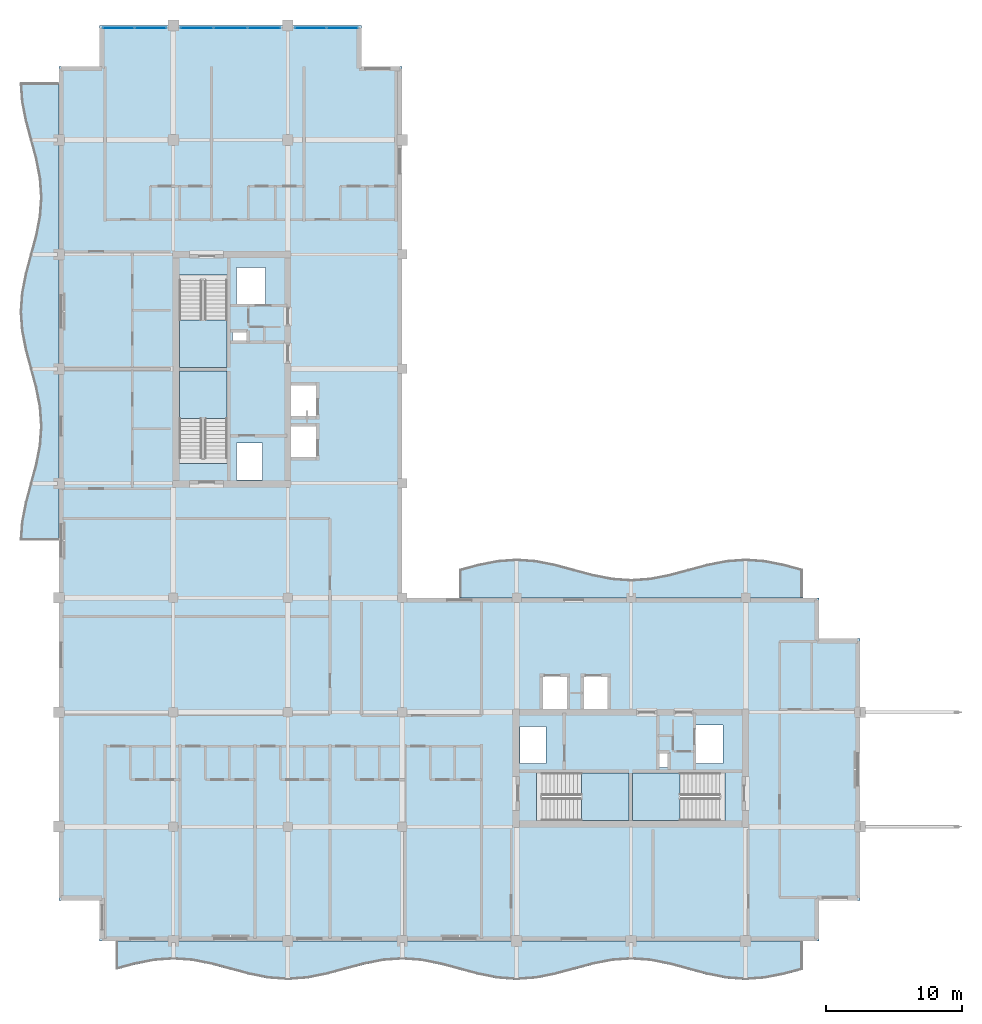
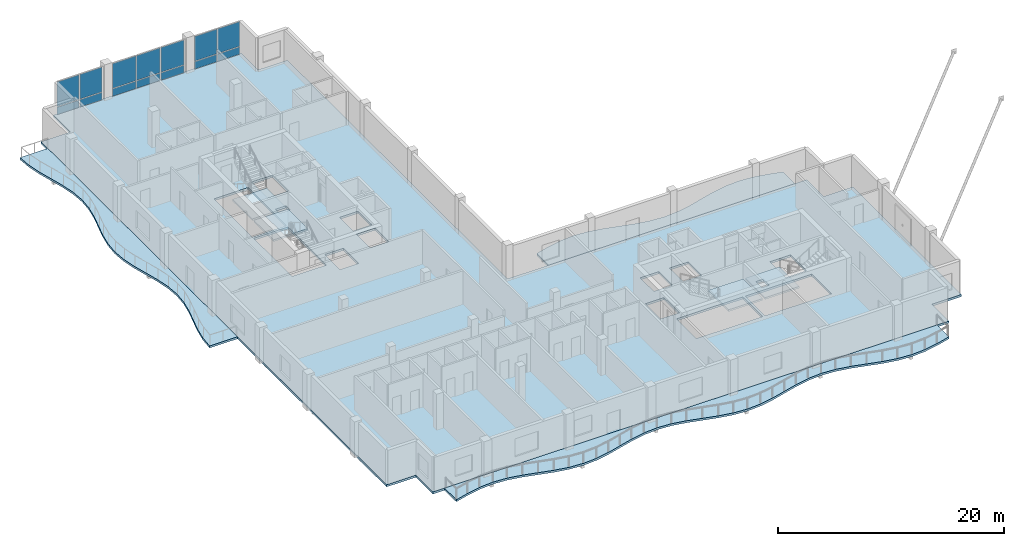
# One storey, part 5 of 17: 14 plates, 8 slabs, 7 elements without a shape of their own.
"""IFC4 building model written with IfcOpenShell, lengths in metres."""

from ifc_helpers import new_model, si_unit, direction, frame, origin, origin_2d, place, context, subcontext, project, spatial, polyline, rectangle, outline, extrude, material, layer, layer_set, type_object, element, aggregate, save


model = new_model("IFC4")

# Units and contexts
model_context = context("Model", 3, precision=1e-05, world=origin(), true_north=direction((0.0, 1.0)))
body_context = subcontext(model_context, "Body", "Model", "MODEL_VIEW")
ifc_project = project(units=[si_unit("LENGTHUNIT", "METRE"), si_unit("AREAUNIT", "SQUARE_METRE"), si_unit("VOLUMEUNIT", "CUBIC_METRE"), si_unit("PLANEANGLEUNIT", "RADIAN"), si_unit("MASSUNIT", "GRAM", prefix="KILO")], contexts=[model_context])

# Site, building, storey
site_placement = place(None, origin())
site = spatial("IfcSite", under=ifc_project, at=site_placement, CompositionType="ELEMENT")
building_placement = place(site_placement, origin())
building = spatial("IfcBuilding", under=site, at=building_placement, Name="Koriwani Terraces Tower", CompositionType="ELEMENT")
storey_placement = place(building_placement, frame((0.0, 0.0, 347.60009765625)))
storey = spatial("IfcBuildingStorey", under=building, at=storey_placement, Name="L86", CompositionType="ELEMENT", Elevation=347.60009765625)

# Curtain wall, plates
ifc_material_1 = material(Name="Anodised Bronze Aluminium", Category="aluminium")
ifc_layer_1 = layer(ifc_material_1, 0.18994140625, Name="Anodised Bronze Aluminium")
ifc_layer_set_1 = layer_set([ifc_layer_1], Name="Anodised Bronze Aluminium")
curtain_wall_type = type_object("IfcCurtainWallType", Name="CW_PENTHOUSE_ZONE5", PredefinedType="NOTDEFINED", material=ifc_layer_set_1)
curtain_wall_1_placement = place(storey_placement, origin())
curtain_wall_1 = element("IfcCurtainWall", 1, at=curtain_wall_1_placement, inside=storey, type_object=curtain_wall_type, Name="L86 Unitised Curtain Wall (N_TIP) Bay 1", PredefinedType="NOTDEFINED")
ifc_material_2 = material(Name="Tempered Laminated Low-E Glass", Category="glass")
ifc_layer_2 = layer(ifc_material_2, 0.028076171875, Name="Tempered Laminated Low-E Glass")
ifc_layer_set_2 = layer_set([ifc_layer_2], Name="Tempered Laminated Low-E Glass")
plate_type = type_object("IfcPlateType", Name="CW_PANEL_VISION_28", PredefinedType="CURTAIN_PANEL", material=ifc_layer_set_2)
plate_1_placement = place(storey_placement, frame((12.784912109375, 75.425048828125, 0.06494140625), z_axis=(0.0, 0.0, 1.0), x_axis=(1.0, 0.0, 0.0)))
plate_1 = element("IfcPlate", 2, at=plate_1_placement, type_object=plate_type, Name="CW-Z5 panel 1.1", PredefinedType="CURTAIN_PANEL", context=body_context, shape_type="SweptSolid", body=[
    extrude(rectangle(XDim=2.27001953125, YDim=0.028076171875, at=origin_2d()), origin(), (0.0, 0.0, 1.0), 0.802490234375),
])
plate_2_placement = place(storey_placement, frame((12.784912109375, 75.425048828125, 0.93212890625), z_axis=(0.0, 0.0, 1.0), x_axis=(1.0, 0.0, 0.0)))
plate_2 = element("IfcPlate", 3, at=plate_2_placement, type_object=plate_type, Name="CW-Z5 panel 1.2", PredefinedType="CURTAIN_PANEL", context=body_context, shape_type="SweptSolid", body=[
    extrude(rectangle(XDim=2.27001953125, YDim=0.028076171875, at=origin_2d()), origin(), (0.0, 0.0, 1.0), 2.672607421875),
])
plate_3_placement = place(storey_placement, frame((15.1298828125, 75.425048828125, 0.06494140625), z_axis=(0.0, 0.0, 1.0), x_axis=(1.0, 0.0, 0.0)))
plate_3 = element("IfcPlate", 4, at=plate_3_placement, type_object=plate_type, Name="CW-Z5 panel 2.1", PredefinedType="CURTAIN_PANEL", context=body_context, shape_type="SweptSolid", body=[
    extrude(rectangle(XDim=2.27001953125, YDim=0.028076171875, at=origin_2d()), origin(), (0.0, 0.0, 1.0), 0.802490234375),
])
plate_4_placement = place(storey_placement, frame((15.1298828125, 75.425048828125, 0.93212890625), z_axis=(0.0, 0.0, 1.0), x_axis=(1.0, 0.0, 0.0)))
plate_4 = element("IfcPlate", 5, at=plate_4_placement, type_object=plate_type, Name="CW-Z5 panel 2.2", PredefinedType="CURTAIN_PANEL", context=body_context, shape_type="SweptSolid", body=[
    extrude(rectangle(XDim=2.27001953125, YDim=0.028076171875, at=origin_2d()), origin(), (0.0, 0.0, 1.0), 2.672607421875),
])
aggregate(curtain_wall_1, [plate_1, plate_2, plate_3, plate_4])

curtain_wall_2_placement = place(storey_placement, origin())
curtain_wall_2 = element("IfcCurtainWall", 6, at=curtain_wall_2_placement, inside=storey, type_object=curtain_wall_type, Name="L86 Unitised Curtain Wall (N_TIP) Bay 2", PredefinedType="NOTDEFINED")
plate_5_placement = place(storey_placement, frame((18.525390625, 75.425048828125, 0.06494140625), z_axis=(0.0, 0.0, 1.0), x_axis=(1.0, 0.0, 0.0)))
plate_5 = element("IfcPlate", 7, at=plate_5_placement, type_object=plate_type, Name="CW-Z5 panel 1.1", PredefinedType="CURTAIN_PANEL", context=body_context, shape_type="SweptSolid", body=[
    extrude(rectangle(XDim=2.380859375, YDim=0.028076171875, at=origin_2d()), origin(), (0.0, 0.0, 1.0), 0.802490234375),
])
plate_6_placement = place(storey_placement, frame((18.525390625, 75.425048828125, 0.93212890625), z_axis=(0.0, 0.0, 1.0), x_axis=(1.0, 0.0, 0.0)))
plate_6 = element("IfcPlate", 8, at=plate_6_placement, type_object=plate_type, Name="CW-Z5 panel 1.2", PredefinedType="CURTAIN_PANEL", context=body_context, shape_type="SweptSolid", body=[
    extrude(rectangle(XDim=2.380859375, YDim=0.028076171875, at=origin_2d()), origin(), (0.0, 0.0, 1.0), 2.672607421875),
])
plate_7_placement = place(storey_placement, frame((21.0, 75.425048828125, 0.06494140625), z_axis=(0.0, 0.0, 1.0), x_axis=(1.0, 0.0, 0.0)))
plate_7 = element("IfcPlate", 9, at=plate_7_placement, type_object=plate_type, Name="CW-Z5 panel 2.1", PredefinedType="CURTAIN_PANEL", context=body_context, shape_type="SweptSolid", body=[
    extrude(rectangle(XDim=2.418212890625, YDim=0.028076171875, at=origin_2d()), origin(), (0.0, 0.0, 1.0), 0.802490234375),
])
plate_8_placement = place(storey_placement, frame((21.0, 75.425048828125, 0.93212890625), z_axis=(0.0, 0.0, 1.0), x_axis=(1.0, 0.0, 0.0)))
plate_8 = element("IfcPlate", 10, at=plate_8_placement, type_object=plate_type, Name="CW-Z5 panel 2.2", PredefinedType="CURTAIN_PANEL", context=body_context, shape_type="SweptSolid", body=[
    extrude(rectangle(XDim=2.418212890625, YDim=0.028076171875, at=origin_2d()), origin(), (0.0, 0.0, 1.0), 2.672607421875),
])
plate_9_placement = place(storey_placement, frame((23.474609375, 75.425048828125, 0.06494140625), z_axis=(0.0, 0.0, 1.0), x_axis=(1.0, 0.0, 0.0)))
plate_9 = element("IfcPlate", 11, at=plate_9_placement, type_object=plate_type, Name="CW-Z5 panel 3.1", PredefinedType="CURTAIN_PANEL", context=body_context, shape_type="SweptSolid", body=[
    extrude(rectangle(XDim=2.380859375, YDim=0.028076171875, at=origin_2d()), origin(), (0.0, 0.0, 1.0), 0.802490234375),
])
plate_10_placement = place(storey_placement, frame((23.474609375, 75.425048828125, 0.93212890625), z_axis=(0.0, 0.0, 1.0), x_axis=(1.0, 0.0, 0.0)))
plate_10 = element("IfcPlate", 12, at=plate_10_placement, type_object=plate_type, Name="CW-Z5 panel 3.2", PredefinedType="CURTAIN_PANEL", context=body_context, shape_type="SweptSolid", body=[
    extrude(rectangle(XDim=2.380859375, YDim=0.028076171875, at=origin_2d()), origin(), (0.0, 0.0, 1.0), 2.672607421875),
])
aggregate(curtain_wall_2, [plate_5, plate_6, plate_7, plate_8, plate_9, plate_10])

curtain_wall_3_placement = place(storey_placement, origin())
curtain_wall_3 = element("IfcCurtainWall", 13, at=curtain_wall_3_placement, inside=storey, type_object=curtain_wall_type, Name="L86 Unitised Curtain Wall (N_TIP) Bay 3", PredefinedType="NOTDEFINED")
plate_11_placement = place(storey_placement, frame((26.8701171875, 75.425048828125, 0.06494140625), z_axis=(0.0, 0.0, 1.0), x_axis=(1.0, 0.0, 0.0)))
plate_11 = element("IfcPlate", 14, at=plate_11_placement, type_object=plate_type, Name="CW-Z5 panel 1.1", PredefinedType="CURTAIN_PANEL", context=body_context, shape_type="SweptSolid", body=[
    extrude(rectangle(XDim=2.27001953125, YDim=0.028076171875, at=origin_2d()), origin(), (0.0, 0.0, 1.0), 0.802490234375),
])
plate_12_placement = place(storey_placement, frame((26.8701171875, 75.425048828125, 0.93212890625), z_axis=(0.0, 0.0, 1.0), x_axis=(1.0, 0.0, 0.0)))
plate_12 = element("IfcPlate", 15, at=plate_12_placement, type_object=plate_type, Name="CW-Z5 panel 1.2", PredefinedType="CURTAIN_PANEL", context=body_context, shape_type="SweptSolid", body=[
    extrude(rectangle(XDim=2.27001953125, YDim=0.028076171875, at=origin_2d()), origin(), (0.0, 0.0, 1.0), 2.672607421875),
])
plate_13_placement = place(storey_placement, frame((29.215087890625, 75.425048828125, 0.06494140625), z_axis=(0.0, 0.0, 1.0), x_axis=(1.0, 0.0, 0.0)))
plate_13 = element("IfcPlate", 16, at=plate_13_placement, type_object=plate_type, Name="CW-Z5 panel 2.1", PredefinedType="CURTAIN_PANEL", context=body_context, shape_type="SweptSolid", body=[
    extrude(rectangle(XDim=2.27001953125, YDim=0.028076171875, at=origin_2d()), origin(), (0.0, 0.0, 1.0), 0.802490234375),
])
plate_14_placement = place(storey_placement, frame((29.215087890625, 75.425048828125, 0.93212890625), z_axis=(0.0, 0.0, 1.0), x_axis=(1.0, 0.0, 0.0)))
plate_14 = element("IfcPlate", 17, at=plate_14_placement, type_object=plate_type, Name="CW-Z5 panel 2.2", PredefinedType="CURTAIN_PANEL", context=body_context, shape_type="SweptSolid", body=[
    extrude(rectangle(XDim=2.27001953125, YDim=0.028076171875, at=origin_2d()), origin(), (0.0, 0.0, 1.0), 2.672607421875),
])
aggregate(curtain_wall_3, [plate_11, plate_12, plate_13, plate_14])

# Slabs
ifc_material_3 = material(Name="Concrete C40/50", Category="concrete")
ifc_layer_3 = layer(ifc_material_3, 0.219970703125, Name="Concrete C40/50")
ifc_layer_set_3 = layer_set([ifc_layer_3], Name="Concrete C40/50")
slab_type_1 = type_object("IfcSlabType", Name="SLAB_BALCONY_220", PredefinedType="FLOOR", material=ifc_layer_set_3)
slab_1_placement = place(storey_placement, frame((0.0, 0.0, -0.22021484375)))
element("IfcSlab", 18, at=slab_1_placement, inside=storey, type_object=slab_type_1, Name="L86 Quilted Circular-Arc Balcony (S)", PredefinedType="FLOOR", context=body_context, shape_type="SweptSolid", body=[
    extrude(outline(polyline([(12.60009765625, 8.39990234375), (14.0, 8.39990234375), (15.39990234375, 8.39990234375), (16.800048828125, 8.39990234375), (18.199951171875, 8.39990234375), (19.60009765625, 8.39990234375), (21.0, 8.39990234375), (22.39990234375, 8.39990234375), (23.800048828125, 8.39990234375), (25.199951171875, 8.39990234375), (26.60009765625, 8.39990234375), (28.0, 8.39990234375), (29.39990234375, 8.39990234375), (30.800048828125, 8.39990234375), (32.199951171875, 8.39990234375), (33.60009765625, 8.39990234375), (35.0, 8.39990234375), (36.39990234375, 8.39990234375), (37.800048828125, 8.39990234375), (39.199951171875, 8.39990234375), (40.60009765625, 8.39990234375), (42.0, 8.39990234375), (43.39990234375, 8.39990234375), (44.800048828125, 8.39990234375), (46.199951171875, 8.39990234375), (47.60009765625, 8.39990234375), (49.0, 8.39990234375), (50.39990234375, 8.39990234375), (51.800048828125, 8.39990234375), (53.199951171875, 8.39990234375), (54.60009765625, 8.39990234375), (56.0, 8.39990234375), (57.39990234375, 8.39990234375), (58.800048828125, 8.39990234375), (60.199951171875, 8.39990234375), (61.60009765625, 8.39990234375), (63.0, 8.39990234375), (63.0, 6.300048828125), (61.60009765625, 5.925048828125), (60.199951171875, 5.650390625), (58.800048828125, 5.550048828125), (57.39990234375, 5.650390625), (56.0, 5.925048828125), (54.60009765625, 6.300048828125), (53.199951171875, 6.675048828125), (51.800048828125, 6.949462890625), (50.39990234375, 7.050048828125), (49.0, 6.949462890625), (47.60009765625, 6.675048828125), (46.199951171875, 6.300048828125), (44.800048828125, 5.925048828125), (43.39990234375, 5.650390625), (42.0, 5.550048828125), (40.60009765625, 5.650390625), (39.199951171875, 5.925048828125), (37.800048828125, 6.300048828125), (36.39990234375, 6.675048828125), (35.0, 6.949462890625), (33.60009765625, 7.050048828125), (32.199951171875, 6.949462890625), (30.800048828125, 6.675048828125), (29.39990234375, 6.300048828125), (28.0, 5.925048828125), (26.60009765625, 5.650390625), (25.199951171875, 5.550048828125), (23.800048828125, 5.650390625), (22.39990234375, 5.925048828125), (21.0, 6.300048828125), (19.60009765625, 6.675048828125), (18.199951171875, 6.949462890625), (16.800048828125, 7.050048828125), (15.39990234375, 6.949462890625), (14.0, 6.675048828125), (12.60009765625, 6.300048828125), (12.60009765625, 8.39990234375)])), origin(), (0.0, 0.0, 1.0), 0.22021484375),
])
slab_2_placement = place(storey_placement, frame((0.0, 0.0, -0.22021484375)))
element("IfcSlab", 19, at=slab_2_placement, inside=storey, type_object=slab_type_1, Name="L86 Quilted Circular-Arc Balcony (W)", PredefinedType="FLOOR", context=body_context, shape_type="SweptSolid", body=[
    extrude(outline(polyline([(8.39990234375, 37.800048828125), (8.39990234375, 39.199951171875), (8.39990234375, 40.60009765625), (8.39990234375, 42.0), (8.39990234375, 43.39990234375), (8.39990234375, 44.800048828125), (8.39990234375, 46.199951171875), (8.39990234375, 47.60009765625), (8.39990234375, 49.0), (8.39990234375, 50.39990234375), (8.39990234375, 51.800048828125), (8.39990234375, 53.199951171875), (8.39990234375, 54.60009765625), (8.39990234375, 56.0), (8.39990234375, 57.39990234375), (8.39990234375, 58.800048828125), (8.39990234375, 60.199951171875), (8.39990234375, 61.60009765625), (8.39990234375, 63.0), (8.39990234375, 64.39990234375), (8.39990234375, 65.800048828125), (8.39990234375, 67.199951171875), (8.39990234375, 68.60009765625), (8.39990234375, 70.0), (8.39990234375, 71.39990234375), (5.550048828125, 71.39990234375), (5.650390625, 70.0), (5.925048828125, 68.60009765625), (6.300048828125, 67.199951171875), (6.675048828125, 65.800048828125), (6.949462890625, 64.39990234375), (7.050048828125, 63.0), (6.949462890625, 61.60009765625), (6.675048828125, 60.199951171875), (6.300048828125, 58.800048828125), (5.925048828125, 57.39990234375), (5.650390625, 56.0), (5.550048828125, 54.60009765625), (5.650390625, 53.199951171875), (5.925048828125, 51.800048828125), (6.300048828125, 50.39990234375), (6.675048828125, 49.0), (6.949462890625, 47.60009765625), (7.050048828125, 46.199951171875), (6.949462890625, 44.800048828125), (6.675048828125, 43.39990234375), (6.300048828125, 42.0), (5.925048828125, 40.60009765625), (5.650390625, 39.199951171875), (5.550048828125, 37.800048828125), (8.39990234375, 37.800048828125)])), origin(), (0.0, 0.0, 1.0), 0.22021484375),
])
slab_3_placement = place(storey_placement, frame((0.0, 0.0, -0.22021484375)))
element("IfcSlab", 20, at=slab_3_placement, inside=storey, type_object=slab_type_1, Name="L86 Quilted Circular-Arc Balcony (NE)", PredefinedType="FLOOR", context=body_context, shape_type="SweptSolid", body=[
    extrude(outline(polyline([(63.0, 33.60009765625), (61.60009765625, 33.60009765625), (60.199951171875, 33.60009765625), (58.800048828125, 33.60009765625), (57.39990234375, 33.60009765625), (56.0, 33.60009765625), (54.60009765625, 33.60009765625), (53.199951171875, 33.60009765625), (51.800048828125, 33.60009765625), (50.39990234375, 33.60009765625), (49.0, 33.60009765625), (47.60009765625, 33.60009765625), (46.199951171875, 33.60009765625), (44.800048828125, 33.60009765625), (43.39990234375, 33.60009765625), (42.0, 33.60009765625), (40.60009765625, 33.60009765625), (39.199951171875, 33.60009765625), (37.800048828125, 33.60009765625), (37.800048828125, 35.699951171875), (39.199951171875, 36.074951171875), (40.60009765625, 36.349609375), (42.0, 36.449951171875), (43.39990234375, 36.349609375), (44.800048828125, 36.074951171875), (46.199951171875, 35.699951171875), (47.60009765625, 35.324951171875), (49.0, 35.050537109375), (50.39990234375, 34.949951171875), (51.800048828125, 35.050537109375), (53.199951171875, 35.324951171875), (54.60009765625, 35.699951171875), (56.0, 36.074951171875), (57.39990234375, 36.349609375), (58.800048828125, 36.449951171875), (60.199951171875, 36.349609375), (61.60009765625, 36.074951171875), (63.0, 35.699951171875), (63.0, 33.60009765625)])), origin(), (0.0, 0.0, 1.0), 0.22021484375),
])
ifc_layer_4 = layer(ifc_material_3, 0.22998046875, Name="Concrete C40/50")
ifc_layer_set_4 = layer_set([ifc_layer_4], Name="Concrete C40/50")
slab_type_2 = type_object("IfcSlabType", Name="SLAB_RES_TYP_230", PredefinedType="FLOOR", material=ifc_layer_set_4)
slab_4_placement = place(storey_placement, frame((0.0, 0.0, -0.22998046875)))
element("IfcSlab", 21, at=slab_4_placement, inside=storey, type_object=slab_type_2, Name="L86 Structural Floor Slab", PredefinedType="FLOOR", context=body_context, shape_type="SweptSolid", body=[
    extrude(outline(polyline([(11.39990234375, 8.39990234375), (64.199951171875, 8.39990234375), (64.199951171875, 11.39990234375), (67.199951171875, 11.39990234375), (67.199951171875, 30.60009765625), (64.199951171875, 30.60009765625), (64.199951171875, 33.60009765625), (33.60009765625, 33.60009765625), (33.60009765625, 72.60009765625), (30.60009765625, 72.60009765625), (30.60009765625, 75.60009765625), (11.39990234375, 75.60009765625), (11.39990234375, 72.60009765625), (8.39990234375, 72.60009765625), (8.39990234375, 11.39990234375), (11.39990234375, 11.39990234375), (11.39990234375, 8.39990234375)]), holes=[polyline([(17.25, 43.4599609375), (20.75, 43.4599609375), (20.75, 50.25), (17.25, 50.25), (17.25, 43.4599609375)]), polyline([(17.25, 50.5), (20.75, 50.5), (20.75, 57.2900390625), (17.25, 57.2900390625), (17.25, 50.5)]), polyline([(43.4599609375, 17.25), (50.25, 17.25), (50.25, 20.75), (43.4599609375, 20.75), (43.4599609375, 17.25)]), polyline([(50.5, 17.25), (57.2900390625, 17.25), (57.2900390625, 20.75), (50.5, 20.75), (50.5, 17.25)]), polyline([(25.449951171875, 43.85009765625), (27.35009765625, 43.85009765625), (27.35009765625, 46.25), (25.449951171875, 46.25), (25.449951171875, 43.85009765625)]), polyline([(25.449951171875, 46.85009765625), (27.35009765625, 46.85009765625), (27.35009765625, 49.25), (25.449951171875, 49.25), (25.449951171875, 46.85009765625)]), polyline([(43.85009765625, 25.449951171875), (45.75, 25.449951171875), (45.75, 27.85009765625), (43.85009765625, 27.85009765625), (43.85009765625, 25.449951171875)]), polyline([(46.85009765625, 25.449951171875), (48.75, 25.449951171875), (48.75, 27.85009765625), (46.85009765625, 27.85009765625), (46.85009765625, 25.449951171875)]), polyline([(21.449951171875, 55.050048828125), (23.550048828125, 55.050048828125), (23.550048828125, 57.85009765625), (21.449951171875, 57.85009765625), (21.449951171875, 55.050048828125)]), polyline([(55.050048828125, 21.449951171875), (57.14990234375, 21.449951171875), (57.14990234375, 24.25), (55.050048828125, 24.25), (55.050048828125, 21.449951171875)]), polyline([(21.449951171875, 42.25), (23.35009765625, 42.25), (23.35009765625, 44.949951171875), (21.449951171875, 44.949951171875), (21.449951171875, 42.25)]), polyline([(42.25, 21.449951171875), (44.14990234375, 21.449951171875), (44.14990234375, 24.14990234375), (42.25, 24.14990234375), (42.25, 21.449951171875)]), polyline([(21.14990234375, 52.419921875), (22.219970703125, 52.419921875), (22.219970703125, 53.179931640625), (21.14990234375, 53.179931640625), (21.14990234375, 52.419921875)]), polyline([(52.419921875, 21.14990234375), (53.179931640625, 21.14990234375), (53.179931640625, 22.219970703125), (52.419921875, 22.219970703125), (52.419921875, 21.14990234375)])]), origin(), (0.0, 0.0, 1.0), 0.22998046875),
])

# Stair, slab
stair_type = type_object("IfcStairType", Name="STAIR_CORE_DOGLEG_1650", PredefinedType="TWO_STRAIGHT_RUN_STAIR", material=ifc_material_3)
stair_1_placement = place(storey_placement, origin())
stair_1 = element("IfcStair", 22, at=stair_1_placement, inside=storey, type_object=stair_type, Name="L86 West Core Exit Stair 1", PredefinedType="HALF_TURN_STAIR")
ifc_layer_5 = layer(ifc_material_3, 0.199951171875, Name="Concrete C40/50")
ifc_layer_set_5 = layer_set([ifc_layer_5], Name="Concrete C40/50")
slab_type_3 = type_object("IfcSlabType", Name="SLAB_STAIR_LANDING_200", PredefinedType="LANDING", material=ifc_layer_set_5)
slab_5_placement = place(storey_placement, frame((0.0, 0.0, 1.75)))
slab_5 = element("IfcSlab", 23, at=slab_5_placement, type_object=slab_type_3, Name="ST-W1 landing 1", PredefinedType="LANDING", context=body_context, shape_type="SweptSolid", body=[
    extrude(outline(polyline([(20.75, 46.75), (20.75, 50.25), (17.25, 50.25), (17.25, 46.75), (20.75, 46.75)])), origin(), (0.0, 0.0, 1.0), 0.199951171875),
])
aggregate(stair_1, [slab_5])

stair_2_placement = place(storey_placement, origin())
stair_2 = element("IfcStair", 24, at=stair_2_placement, inside=storey, type_object=stair_type, Name="L86 West Core Exit Stair 2", PredefinedType="HALF_TURN_STAIR")
slab_6_placement = place(storey_placement, frame((0.0, 0.0, 1.75)))
slab_6 = element("IfcSlab", 25, at=slab_6_placement, type_object=slab_type_3, Name="ST-W2 landing 1", PredefinedType="LANDING", context=body_context, shape_type="SweptSolid", body=[
    extrude(outline(polyline([(17.25, 54.0), (17.25, 50.5), (20.75, 50.5), (20.75, 54.0), (17.25, 54.0)])), origin(), (0.0, 0.0, 1.0), 0.199951171875),
])
aggregate(stair_2, [slab_6])

stair_3_placement = place(storey_placement, origin())
stair_3 = element("IfcStair", 26, at=stair_3_placement, inside=storey, type_object=stair_type, Name="L86 East Core Exit Stair 1", PredefinedType="HALF_TURN_STAIR")
slab_7_placement = place(storey_placement, frame((0.0, 0.0, 1.75)))
slab_7 = element("IfcSlab", 27, at=slab_7_placement, type_object=slab_type_3, Name="ST-E1 landing 1", PredefinedType="LANDING", context=body_context, shape_type="SweptSolid", body=[
    extrude(outline(polyline([(46.75, 17.25), (50.25, 17.25), (50.25, 20.75), (46.75, 20.75), (46.75, 17.25)])), origin(), (0.0, 0.0, 1.0), 0.199951171875),
])
aggregate(stair_3, [slab_7])

stair_4_placement = place(storey_placement, origin())
stair_4 = element("IfcStair", 28, at=stair_4_placement, inside=storey, type_object=stair_type, Name="L86 East Core Exit Stair 2", PredefinedType="HALF_TURN_STAIR")
slab_8_placement = place(storey_placement, frame((0.0, 0.0, 1.75)))
slab_8 = element("IfcSlab", 29, at=slab_8_placement, type_object=slab_type_3, Name="ST-E2 landing 1", PredefinedType="LANDING", context=body_context, shape_type="SweptSolid", body=[
    extrude(outline(polyline([(54.0, 20.75), (50.5, 20.75), (50.5, 17.25), (54.0, 17.25), (54.0, 20.75)])), origin(), (0.0, 0.0, 1.0), 0.199951171875),
])
aggregate(stair_4, [slab_8])

save(model, "model.ifc")
